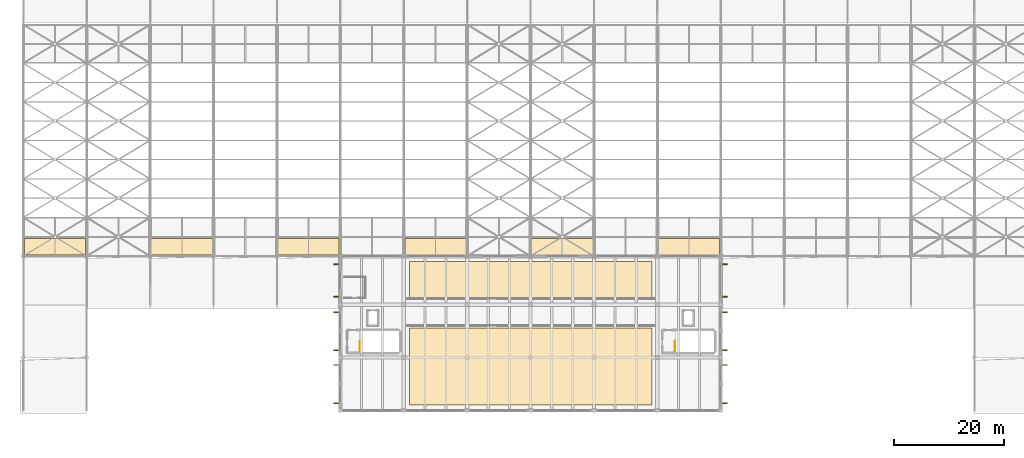
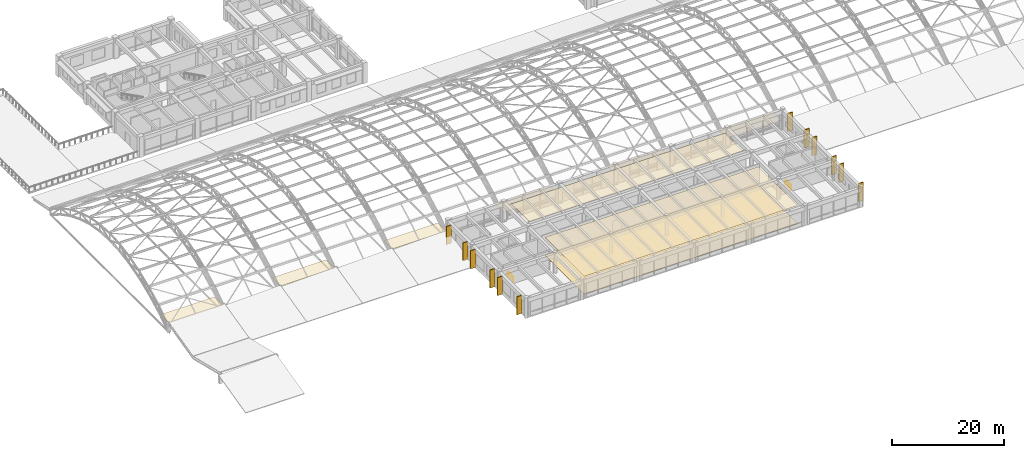
# One storey, part 152 of 154: 12 shading devices, 9 coverings, 2 railings.
"""IFC4 building model written with IfcOpenShell, lengths in metres."""

from ifc_helpers import new_model, si_unit, direction, frame, origin, origin_2d, place, context, subcontext, project, spatial, polyline, rectangle, circle, outline, extrude, material, layer, layer_set, type_object, element, save


model = new_model("IFC4")

# Units and contexts
model_context = context("Model", 3, precision=1e-05, world=origin(), true_north=direction((0.0, 1.0)))
body_context = subcontext(model_context, "Body", "Model", "MODEL_VIEW")
ifc_project = project(units=[si_unit("LENGTHUNIT", "METRE"), si_unit("AREAUNIT", "SQUARE_METRE"), si_unit("VOLUMEUNIT", "CUBIC_METRE"), si_unit("PLANEANGLEUNIT", "RADIAN"), si_unit("MASSUNIT", "GRAM", prefix="KILO")], contexts=[model_context])

# Site, building, storey
site_placement = place(None, origin())
site = spatial("IfcSite", under=ifc_project, at=site_placement, CompositionType="ELEMENT")
building_placement = place(site_placement, origin())
building = spatial("IfcBuilding", under=site, at=building_placement, Name="Ologun Quay Terminus", CompositionType="ELEMENT")
storey_placement = place(building_placement, frame((0.0, 0.0, 13.800048828125)))
storey = spatial("IfcBuildingStorey", under=building, at=storey_placement, Name="L03", CompositionType="ELEMENT", Elevation=13.800048828125)

# Coverings
ifc_material_1 = material(Name="Gypsum Acoustic Stud")
ifc_layer_1 = layer(ifc_material_1, 0.02001953125)
ifc_layer_set_1 = layer_set([ifc_layer_1], Name="Gypsum Acoustic Stud")
covering_type_1 = type_object("IfcCoveringType", Name="Mineral-Fibre Acoustic Suspended Ceiling 20", PredefinedType="CEILING", material=ifc_layer_set_1)
covering_1_placement = place(storey_placement, frame((0.0, 0.0, 3.949951171875)))
element("IfcCovering", 1, at=covering_1_placement, inside=storey, type_object=covering_type_1, Name="CV-CL2 Acoustic Ceiling 10", PredefinedType="CEILING", context=body_context, shape_type="SweptSolid", body=[
    extrude(outline(polyline([(70.0, 28.5), (114.0, 28.5), (114.0, 35.0), (70.0, 35.0), (70.0, 28.5)])), origin(), (0.0, 0.0, 1.0), 0.02001953125),
])
ifc_material_2 = material(Name="Aluminium 6063-T6", Category="aluminium")
ifc_layer_2 = layer(ifc_material_2, 0.034912109375)
ifc_layer_set_2 = layer_set([ifc_layer_2], Name="Aluminium 6063-T6")
covering_type_2 = type_object("IfcCoveringType", Name="Perforated Aluminium Acoustic Baffle Ceiling 35", PredefinedType="CEILING", material=ifc_layer_set_2)
covering_2_placement = place(storey_placement, frame((0.0, 0.0, 3.89990234375)))
element("IfcCovering", 2, at=covering_2_placement, inside=storey, type_object=covering_type_2, Name="CV-CL1 Acoustic Ceiling 6", PredefinedType="CEILING", context=body_context, shape_type="SweptSolid", body=[
    extrude(outline(polyline([(70.0, 9.0), (114.0, 9.0), (114.0, 23.0), (70.0, 23.0), (70.0, 9.0)])), origin(), (0.0, 0.0, 1.0), 0.03515625),
])
ifc_material_3 = material(Name="Porcelain Tile")
ifc_layer_3 = layer(ifc_material_3, 0.02197265625)
ifc_layer_set_3 = layer_set([ifc_layer_3], Name="Porcelain Tile")
covering_type_3 = type_object("IfcCoveringType", Name="Porcelain Tile Pavilion & Sanitary Flooring 22", PredefinedType="FLOORING", material=ifc_layer_set_3)
covering_3_placement = place(storey_placement, origin())
element("IfcCovering", 3, at=covering_3_placement, inside=storey, type_object=covering_type_3, Name="CV-FL2 Interior Flooring 12", PredefinedType="FLOORING", context=body_context, shape_type="SweptSolid", body=[
    extrude(outline(polyline([(70.0, 9.0), (114.0, 9.0), (114.0, 23.0), (70.0, 23.0), (70.0, 9.0)])), origin(), (0.0, 0.0, 1.0), 0.02197265625),
])

# Shading devices
ifc_material_4 = material(Name="Concrete C40/50", Category="concrete")
ifc_layer_4 = layer(ifc_material_4, 0.179931640625)
ifc_layer_set_4 = layer_set([ifc_layer_4], Name="Concrete C40/50")
shading_device_type = type_object("IfcShadingDeviceType", Name="Sculpted Concrete Vertical Solar Fin 1050x180", PredefinedType="USERDEFINED", material=ifc_layer_set_4)
for number, where, z_axis, x_axis, name in (
    (4, (127.155029296875, 9.344970703125, 0.14990234375), (0.0, 0.0, 1.0), (1.0, 0.0, 0.0), "SD-04 Vertical Solar Fin WEW-SA-L03-1-7-1"),
    (5, (127.155029296875, 16.2548828125, 0.14990234375), (0.0, 0.0, 1.0), (1.0, 0.0, 0.0), "SD-04 Vertical Solar Fin WEW-SA-L03-1-7-2"),
    (6, (127.155029296875, 18.945068359375, 0.14990234375), (0.0, 0.0, 1.0), (1.0, 0.0, 0.0), "SD-04 Vertical Solar Fin WEW-SA-L03-1-8-1"),
    (7, (127.155029296875, 25.85498046875, 0.14990234375), (0.0, 0.0, 1.0), (1.0, 0.0, 0.0), "SD-04 Vertical Solar Fin WEW-SA-L03-1-8-2"),
    (8, (127.155029296875, 28.64501953125, 0.14990234375), (0.0, 0.0, 1.0), (1.0, 0.0, 0.0), "SD-04 Vertical Solar Fin WEW-SA-L03-1-9-1"),
    (9, (127.155029296875, 34.554931640625, 0.14990234375), (0.0, 0.0, 1.0), (1.0, 0.0, 0.0), "SD-04 Vertical Solar Fin WEW-SA-L03-1-9-2"),
    (10, (56.844970703125, 9.344970703125, 0.14990234375), (0.0, 0.0, 1.0), (1.0, 0.0, 0.0), "SD-04 Vertical Solar Fin WEW-SA-L03-1-16-1"),
    (11, (56.844970703125, 16.2548828125, 0.14990234375), (0.0, 0.0, 1.0), (1.0, 0.0, 0.0), "SD-04 Vertical Solar Fin WEW-SA-L03-1-16-2"),
    (12, (56.844970703125, 18.945068359375, 0.14990234375), (0.0, 0.0, 1.0), (1.0, 0.0, 0.0), "SD-04 Vertical Solar Fin WEW-SA-L03-1-17-1"),
    (13, (56.844970703125, 25.85498046875, 0.14990234375), (0.0, 0.0, 1.0), (1.0, 0.0, 0.0), "SD-04 Vertical Solar Fin WEW-SA-L03-1-17-2"),
    (14, (56.844970703125, 28.64501953125, 0.14990234375), (0.0, 0.0, 1.0), (1.0, 0.0, 0.0), "SD-04 Vertical Solar Fin WEW-SA-L03-1-18-1"),
    (15, (56.844970703125, 34.554931640625, 0.14990234375), (0.0, 0.0, 1.0), (1.0, 0.0, 0.0), "SD-04 Vertical Solar Fin WEW-SA-L03-1-18-2"),
):
    element("IfcShadingDevice", number, at=place(storey_placement, frame(where, z_axis=z_axis, x_axis=x_axis)), inside=storey, type_object=shading_device_type, Name=name, ObjectType="SOLAR FIN", PredefinedType="USERDEFINED", context=body_context, shape_type="SweptSolid", body=[
        extrude(rectangle(XDim=1.050048828125, YDim=0.179931640625, at=origin_2d()), origin(), (0.0, 0.0, 1.0), 3.93994140625),
    ])

# Railings
ifc_material_5 = material(Name="Steel S355", Category="steel")
railing_type = type_object("IfcRailingType", Name="Stair & Landing Steel Guardrail 1100", PredefinedType="GUARDRAIL", material=ifc_material_5)
for number, where, name in (
    (16, (61.010009765625, 20.590087890625, 0.0), "GR-ST Stair Floor Edge Guard ST-S3 L03"),
    (17, (118.2099609375, 20.590087890625, 0.0), "GR-ST Stair Floor Edge Guard ST-S4 L03"),
):
    element("IfcRailing", number, at=place(storey_placement, frame(where)), inside=storey, type_object=railing_type, Name=name, PredefinedType="GUARDRAIL", context=body_context, shape_type="SweptSolid", body=[
        extrude(circle(Radius=0.02392578125, at=origin_2d()), frame((0.0, 0.0, 1.076171875), z_axis=(0.0, -1.0, 0.0), x_axis=(1.0, 0.0, 0.0)), (0.0, 0.0, 1.0), 1.93017578125),
        extrude(circle(Radius=0.02099609375, at=origin_2d()), origin(), (0.0, 0.0, 1.0), 1.052001953125),
        extrude(circle(Radius=0.02099609375, at=origin_2d()), frame((0.0, -0.965087890625, 0.0)), (0.0, 0.0, 1.0), 1.052001953125),
        extrude(circle(Radius=0.02099609375, at=origin_2d()), frame((0.0, -1.93017578125, 0.0)), (0.0, 0.0, 1.0), 1.052001953125),
    ])

# Coverings
ifc_material_6 = material(Name="Aluminium 6063-T6", Category="aluminium")
ifc_layer_5 = layer(ifc_material_6, 0.06494140625)
ifc_layer_set_5 = layer_set([ifc_layer_5], Name="Aluminium 6063-T6")
covering_type_4 = type_object("IfcCoveringType", Name="Standing-Seam Aluminium Barrel Roof Cladding 65", PredefinedType="ROOFING", material=ifc_layer_set_5)
covering_4_placement = place(storey_placement, frame((0.0, 0.0, 1.659912109375)))
element("IfcCovering", 18, at=covering_4_placement, inside=storey, type_object=covering_type_4, Name="CV-RFS Train Shed Eave Cladding Strip B1", PredefinedType="ROOFING", context=body_context, shape_type="SweptSolid", body=[
    extrude(outline(polyline([(0.199951171875, 36.199951171875), (11.300048828125, 36.199951171875), (11.300048828125, 39.199951171875), (0.199951171875, 39.199951171875), (0.199951171875, 36.199951171875)])), origin(), (0.0, 0.0, 1.0), 0.06494140625),
])
covering_5_placement = place(storey_placement, frame((0.0, 0.0, 1.659912109375)))
element("IfcCovering", 19, at=covering_5_placement, inside=storey, type_object=covering_type_4, Name="CV-RFS Train Shed Eave Cladding Strip B3", PredefinedType="ROOFING", context=body_context, shape_type="SweptSolid", body=[
    extrude(outline(polyline([(23.199951171875, 36.199951171875), (34.300048828125, 36.199951171875), (34.300048828125, 39.199951171875), (23.199951171875, 39.199951171875), (23.199951171875, 36.199951171875)])), origin(), (0.0, 0.0, 1.0), 0.06494140625),
])
covering_6_placement = place(storey_placement, frame((0.0, 0.0, 1.659912109375)))
element("IfcCovering", 20, at=covering_6_placement, inside=storey, type_object=covering_type_4, Name="CV-RFS Train Shed Eave Cladding Strip B5", PredefinedType="ROOFING", context=body_context, shape_type="SweptSolid", body=[
    extrude(outline(polyline([(46.199951171875, 36.199951171875), (57.300048828125, 36.199951171875), (57.300048828125, 39.199951171875), (46.199951171875, 39.199951171875), (46.199951171875, 36.199951171875)])), origin(), (0.0, 0.0, 1.0), 0.06494140625),
])
covering_7_placement = place(storey_placement, frame((0.0, 0.0, 1.659912109375)))
element("IfcCovering", 21, at=covering_7_placement, inside=storey, type_object=covering_type_4, Name="CV-RFS Train Shed Eave Cladding Strip B7", PredefinedType="ROOFING", context=body_context, shape_type="SweptSolid", body=[
    extrude(outline(polyline([(69.199951171875, 36.199951171875), (80.300048828125, 36.199951171875), (80.300048828125, 39.199951171875), (69.199951171875, 39.199951171875), (69.199951171875, 36.199951171875)])), origin(), (0.0, 0.0, 1.0), 0.06494140625),
])
covering_8_placement = place(storey_placement, frame((0.0, 0.0, 1.659912109375)))
element("IfcCovering", 22, at=covering_8_placement, inside=storey, type_object=covering_type_4, Name="CV-RFS Train Shed Eave Cladding Strip B9", PredefinedType="ROOFING", context=body_context, shape_type="SweptSolid", body=[
    extrude(outline(polyline([(92.199951171875, 36.199951171875), (103.300048828125, 36.199951171875), (103.300048828125, 39.199951171875), (92.199951171875, 39.199951171875), (92.199951171875, 36.199951171875)])), origin(), (0.0, 0.0, 1.0), 0.06494140625),
])
covering_9_placement = place(storey_placement, frame((0.0, 0.0, 1.659912109375)))
element("IfcCovering", 23, at=covering_9_placement, inside=storey, type_object=covering_type_4, Name="CV-RFS Train Shed Eave Cladding Strip B11", PredefinedType="ROOFING", context=body_context, shape_type="SweptSolid", body=[
    extrude(outline(polyline([(115.199951171875, 36.199951171875), (126.300048828125, 36.199951171875), (126.300048828125, 39.199951171875), (115.199951171875, 39.199951171875), (115.199951171875, 36.199951171875)])), origin(), (0.0, 0.0, 1.0), 0.06494140625),
])

save(model, "model.ifc")
